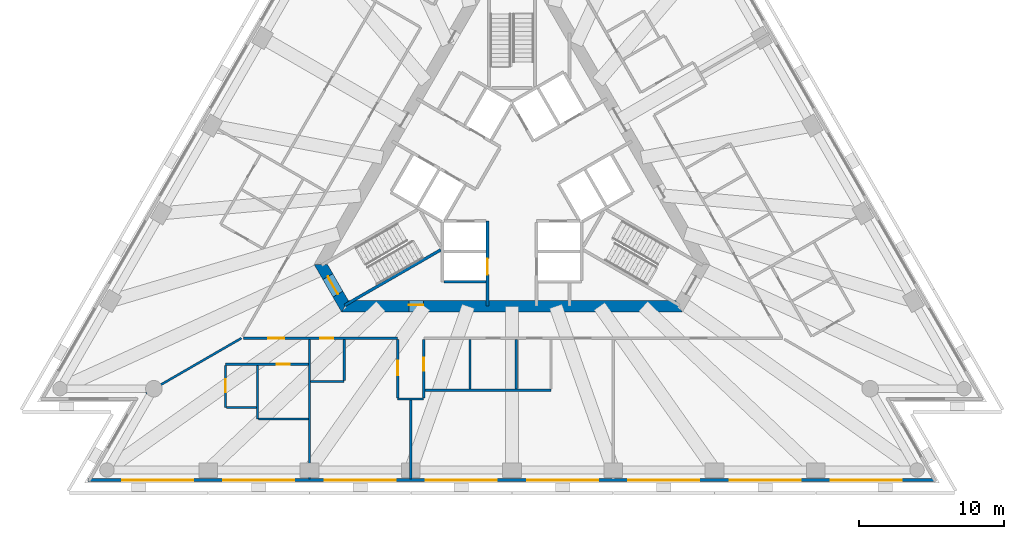
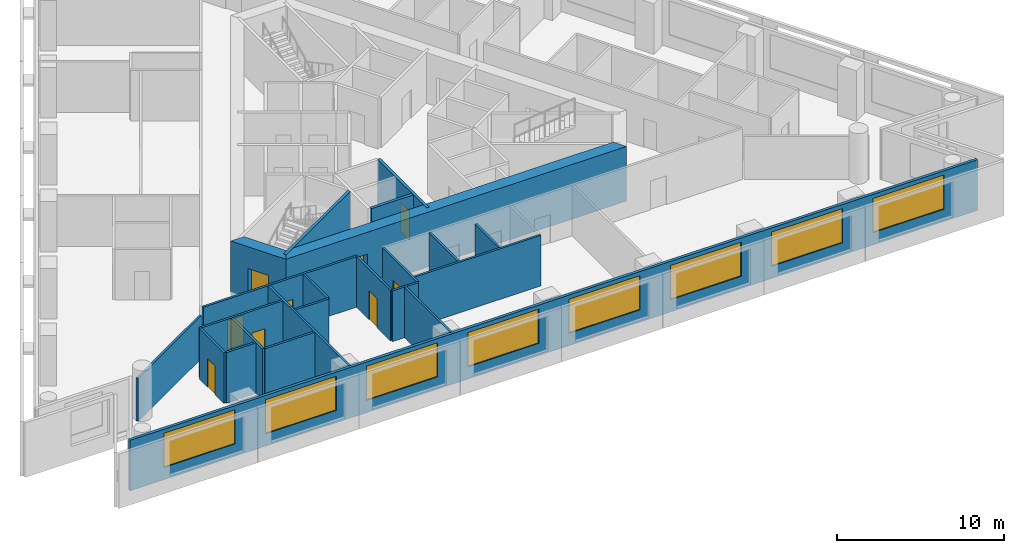
# One storey, part 3 of 10: 23 walls, 9 doors, 8 windows, 17 openings.
"""IFC4 building model written with IfcOpenShell, lengths in metres."""

import ifcopenshell
import ifcopenshell.guid

model = None  # the IFC model being written
_history = None  # IfcOwnerHistory: only IFC2X3 demands one
_inside = {}  # id of a spatial element -> (the spatial element, [elements in it])
_under = {}  # id of a project, library or spatial element -> (it, [spatial elements below it])
_declared = {}  # id of a project -> (the project, [libraries it declares])
_typed = {}  # id of a type object -> (the type object, [elements of that type])
_made_of = {}  # id of a material, layer set ... -> (it, [elements and type objects made of it])


def new_model(schema):
    """Start an empty IFC model of exactly this schema.

    Asked for "IFC4X3", IfcOpenShell would pick the latest addendum, in which some entities
    have other attributes; the version numbers below select the first issue.
    IFC2X3 requires an IfcOwnerHistory on every rooted entity: one is made here for all.
    """
    global model, _history
    if schema == "IFC4X3":
        model = ifcopenshell.file(schema_version=(4, 3, 0, 0))
    else:
        model = ifcopenshell.file(schema=schema)
    _inside.clear()
    _under.clear()
    _declared.clear()
    _typed.clear()
    _made_of.clear()
    _history = None
    if model.schema == "IFC2X3":
        org = make("IfcOrganization", Name="unknown")
        user = make(
            "IfcPersonAndOrganization",
            ThePerson=make("IfcPerson", FamilyName="unknown"),
            TheOrganization=org,
        )
        app = make(
            "IfcApplication",
            ApplicationDeveloper=org,
            Version="unknown",
            ApplicationFullName="unknown",
            ApplicationIdentifier="unknown",
        )
        _history = make(
            "IfcOwnerHistory",
            OwningUser=user,
            OwningApplication=app,
            ChangeAction="ADDED",
            CreationDate=0,
        )
    return model


def make(cls, **values):
    """One entity of the class cls with the attributes given. An attribute that is None is left unset."""
    return model.create_entity(
        cls, **{name: value for name, value in values.items() if value is not None}
    )


def rooted(cls, **values):
    """An entity with a GlobalId (a new one), such as an element, a storey or a relation."""
    return make(cls, GlobalId=ifcopenshell.guid.new(), OwnerHistory=_history, **values)


def si_unit(unit_type, name, prefix=None):
    """IfcSIUnit, for example si_unit("LENGTHUNIT", "METRE", prefix="MILLI")."""
    return make("IfcSIUnit", UnitType=unit_type, Prefix=prefix, Name=name)


def assignment(units):
    """IfcUnitAssignment: the units of a project."""
    return None if units is None else make("IfcUnitAssignment", Units=units)


def point(xyz):
    """IfcCartesianPoint."""
    return None if xyz is None else make("IfcCartesianPoint", Coordinates=xyz)


def direction(xyz):
    """IfcDirection."""
    return None if xyz is None else make("IfcDirection", DirectionRatios=xyz)


def frame(location, z_axis=None, x_axis=None):
    """IfcAxis2Placement3D, a coordinate frame: its origin and axes. An axis left out is left unset."""
    return make(
        "IfcAxis2Placement3D",
        Location=point(location),
        Axis=direction(z_axis),
        RefDirection=direction(x_axis),
    )


def frame_2d(location, x_axis=None):
    """IfcAxis2Placement2D, a coordinate frame in the plane: its origin and x axis."""
    return make(
        "IfcAxis2Placement2D", Location=point(location), RefDirection=direction(x_axis)
    )


def origin():
    """The frame at (0, 0, 0) with its axes left unset."""
    return frame((0.0, 0.0, 0.0))


def place(relative_to, where):
    """IfcLocalPlacement: puts the frame where relative to a parent placement (None: the world)."""
    return make(
        "IfcLocalPlacement", PlacementRelTo=relative_to, RelativePlacement=where
    )


def context(
    kind, dimensions, precision=None, world=None, true_north=None, identifier=None
):
    """IfcGeometricRepresentationContext, for example the 3D "Model" context."""
    return make(
        "IfcGeometricRepresentationContext",
        ContextIdentifier=identifier,
        ContextType=kind,
        CoordinateSpaceDimension=dimensions,
        Precision=precision,
        WorldCoordinateSystem=world,
        TrueNorth=true_north,
    )


def subcontext(parent, identifier, kind, view, scale=None):
    """IfcGeometricRepresentationSubContext, for example "Body" below "Model"."""
    return make(
        "IfcGeometricRepresentationSubContext",
        ContextIdentifier=identifier,
        ContextType=kind,
        ParentContext=parent,
        TargetScale=scale,
        TargetView=view,
    )


def project(units=None, contexts=None):
    """IfcProject with its units and contexts."""
    return rooted(
        "IfcProject",
        Name="project",
        RepresentationContexts=contexts,
        UnitsInContext=assignment(units),
    )


def spatial(cls, under=None, at=None, **own):
    """A site, building, storey or space (cls), placed at a placement, below another one or the project."""
    s = rooted(cls, ObjectPlacement=at, **own)
    if under is not None:
        _under.setdefault(under.id(), (under, []))[1].append(s)
    return s


def polyline(points):
    """IfcPolyline through the points."""
    return make("IfcPolyline", Points=[point(p) for p in points])


def profile(cls, at=None, kind="AREA", **sizes):
    """A parametric profile (cls). Its sizes go by their IFC names, for example OverallWidth=200.0."""
    return make(cls, ProfileType=kind, Position=at, **sizes)


def rectangle(**sizes):
    """IfcRectangleProfileDef."""
    return profile("IfcRectangleProfileDef", **sizes)


def outline(outer, holes=None, kind="AREA"):
    """IfcArbitraryClosedProfileDef: a profile drawn as a closed curve; with holes, ...WithVoids."""
    if holes is None:
        return make("IfcArbitraryClosedProfileDef", ProfileType=kind, OuterCurve=outer)
    return make(
        "IfcArbitraryProfileDefWithVoids",
        ProfileType=kind,
        OuterCurve=outer,
        InnerCurves=holes,
    )


def extrude(swept, where, along, depth):
    """IfcExtrudedAreaSolid: the profile swept, set in the frame where, extruded along a direction by depth."""
    return make(
        "IfcExtrudedAreaSolid",
        SweptArea=swept,
        Position=where,
        ExtrudedDirection=direction(along),
        Depth=depth,
    )


def shape(context_of_items, identifier, shape_type, items):
    """IfcShapeRepresentation: the items that make up one representation, for example the "Body"."""
    return make(
        "IfcShapeRepresentation",
        ContextOfItems=context_of_items,
        RepresentationIdentifier=identifier,
        RepresentationType=shape_type,
        Items=items,
    )


def material(Name=None, Category=None):
    """IfcMaterial."""
    return make("IfcMaterial", Name=Name, Category=Category)


def layer(
    of_material, thickness, ventilated=None, Name=None, Category=None, Priority=None
):
    """IfcMaterialLayer: one layer of a wall or slab, of a material (None: an air gap)."""
    return make(
        "IfcMaterialLayer",
        Material=of_material,
        LayerThickness=thickness,
        IsVentilated=ventilated,
        Name=Name,
        Category=Category,
        Priority=Priority,
    )


def layer_set(layers, Name=None):
    """IfcMaterialLayerSet."""
    return make("IfcMaterialLayerSet", MaterialLayers=layers, LayerSetName=Name)


def layer_usage(for_layer_set, set_direction, sense, offset, extent=None):
    """IfcMaterialLayerSetUsage: how a layer set lies in its element."""
    return make(
        "IfcMaterialLayerSetUsage",
        ForLayerSet=for_layer_set,
        LayerSetDirection=set_direction,
        DirectionSense=sense,
        OffsetFromReferenceLine=offset,
        ReferenceExtent=extent,
    )


def made_of(thing, what):
    """Note that an element or type object is made of a material, layer set ...; save() writes the relation."""
    if what is not None:
        _made_of.setdefault(what.id(), (what, []))[1].append(thing)
    return thing


def type_object(cls, material=None, **own):
    """A type object (cls), such as IfcWallType, which elements share."""
    return made_of(rooted(cls, **own), material)


def element(
    cls,
    number,
    at=None,
    inside=None,
    cuts=None,
    type_object=None,
    material=None,
    context=None,
    identifier="Body",
    shape_type=None,
    held_by="IfcProductDefinitionShape",
    body=None,
    shapes=None,
    **own,
):
    """One element of the class cls, such as IfcWall. Its Tag is "e" and its number.

    at: its placement. inside: the storey or other place that contains it. cuts: it is an
    opening in that element (IfcRelVoidsElement). A single representation is given by context,
    identifier, shape_type and body (its items); several are given by shapes. held_by: the class
    of the entity that holds the representations. save() writes the other relations.
    """
    e = rooted(cls, Tag="e%d" % number, ObjectPlacement=at, **own)
    if body is not None:
        shapes = [shape(context, identifier, shape_type, body)]
    if shapes is not None:
        e.Representation = make(held_by, Representations=shapes)
    if inside is not None:
        _inside.setdefault(inside.id(), (inside, []))[1].append(e)
    if cuts is not None:
        rooted(
            "IfcRelVoidsElement", RelatingBuildingElement=cuts, RelatedOpeningElement=e
        )
    if type_object is not None:
        _typed.setdefault(type_object.id(), (type_object, []))[1].append(e)
    return made_of(e, material)


def fill(opening, filler):
    """IfcRelFillsElement: the door or window that sits in an opening."""
    return rooted(
        "IfcRelFillsElement",
        RelatingOpeningElement=opening,
        RelatedBuildingElement=filler,
    )


def aggregate(whole, parts):
    """IfcRelAggregates: a whole, such as a stair, and the parts it consists of."""
    return rooted("IfcRelAggregates", RelatingObject=whole, RelatedObjects=parts)


def save(model, path):
    """Write the relations noted so far, then the file.

    IfcRelAggregates (storeys below a building ...), IfcRelContainedInSpatialStructure (elements
    in a storey), IfcRelDefinesByType, IfcRelAssociatesMaterial and IfcRelDeclares: one each for
    every whole, place, type object, material and project.
    """
    for whole, parts in _under.values():
        aggregate(whole, parts)
    for where, things in _inside.values():
        rooted(
            "IfcRelContainedInSpatialStructure",
            RelatedElements=things,
            RelatingStructure=where,
        )
    for kind, things in _typed.values():
        rooted("IfcRelDefinesByType", RelatedObjects=things, RelatingType=kind)
    for what, things in _made_of.values():
        rooted("IfcRelAssociatesMaterial", RelatedObjects=things, RelatingMaterial=what)
    for by, libraries in _declared.values():
        rooted("IfcRelDeclares", RelatingContext=by, RelatedDefinitions=libraries)
    model.write(path)


model = new_model("IFC4")

# Units and contexts
model_context = context("Model", 3, precision=1e-05, world=origin(), true_north=direction((0.0, 1.0)))
body_context = subcontext(model_context, "Body", "Model", "MODEL_VIEW")
ifc_project = project(units=[si_unit("LENGTHUNIT", "METRE"), si_unit("AREAUNIT", "SQUARE_METRE"), si_unit("VOLUMEUNIT", "CUBIC_METRE"), si_unit("PLANEANGLEUNIT", "RADIAN"), si_unit("MASSUNIT", "GRAM", prefix="KILO")], contexts=[model_context])

# Site, building, storey
site_placement = place(None, origin())
site = spatial("IfcSite", under=ifc_project, at=site_placement, CompositionType="ELEMENT")
building_placement = place(site_placement, origin())
building = spatial("IfcBuilding", under=site, at=building_placement, Name="Triada Interchange Tower", CompositionType="ELEMENT")
storey_placement = place(building_placement, frame((0.0, 0.0, 104.300048828125)))
storey = spatial("IfcBuildingStorey", under=building, at=storey_placement, Name="L23", CompositionType="ELEMENT", Elevation=104.300048828125)

# Wall
ifc_material_1 = material(Name="Concrete C30/37", Category="concrete")
ifc_layer_1 = layer(ifc_material_1, 0.199951171875)
ifc_layer_set_1 = layer_set([ifc_layer_1], Name="CORE WALL 200 EI 120")
wall_type_1 = type_object("IfcWallType", Name="CORE WALL 200 EI 120", PredefinedType="SOLIDWALL", material=ifc_layer_set_1)
wall_1_placement = place(storey_placement, frame((-4.699951171875, -6.89990234375, 0.0), z_axis=(0.0, 0.0, 1.0), x_axis=(1.0, 0.0, 0.0)))
element("IfcWall", 1, at=wall_1_placement, inside=storey, type_object=wall_type_1, Name="Wall L23 69", PredefinedType="SOLIDWALL", context=body_context, shape_type="SweptSolid", body=[
    extrude(rectangle(XDim=2.89990234375, YDim=0.199951171875, at=frame_2d((1.449951171875, 0.0))), origin(), (0.0, 0.0, 1.0), 3.699951171875),
])

# Wall, opening, door
wall_2_placement = place(storey_placement, frame((-1.699951171875, -8.580078125, 0.0), z_axis=(0.0, 0.0, 1.0), x_axis=(0.0, 1.0, 0.0)))
wall_2 = element("IfcWall", 2, at=wall_2_placement, inside=storey, type_object=wall_type_1, Name="Wall L23 71", PredefinedType="SOLIDWALL", context=body_context, shape_type="SweptSolid", body=[
    extrude(rectangle(XDim=5.877197265625, YDim=0.199951171875, at=frame_2d((2.9384765625, 0.0))), origin(), (0.0, 0.0, 1.0), 3.699951171875),
])
opening_1_placement = place(wall_2_placement, frame((2.179931640625, 0.0, 0.0)))
opening_1 = element("IfcOpeningElement", 3, at=opening_1_placement, cuts=wall_2, Name="Opening LD-LR4", PredefinedType="OPENING", context=body_context, shape_type="SweptSolid", body=[
    extrude(rectangle(XDim=1.10009765625, YDim=2.10009765625, at=frame_2d((0.550048828125, 1.050048828125))), frame((0.0, 0.10986328125, 0.0), z_axis=(0.0, -1.0, 0.0), x_axis=(1.0, 0.0, 0.0)), (0.0, 0.0, 1.0), 0.219970703125),
])
ifc_material_2 = material(Name="Steel S235 door leaf", Category="steel")
door_type_1 = type_object("IfcDoorType", Name="LIFT LANDING DOOR 1100 EI 120", OperationType="SLIDING_TO_LEFT", PredefinedType="DOOR", material=ifc_material_2)
door_1_placement = place(opening_1_placement, origin())
door_1 = element("IfcDoor", 4, at=door_1_placement, inside=storey, type_object=door_type_1, Name="LR4 landing door L23", OperationType="SLIDING_TO_LEFT", OverallHeight=2.10009765625, OverallWidth=1.10009765625, PredefinedType="DOOR", context=body_context, shape_type="SweptSolid", body=[
    extrude(rectangle(XDim=1.10009765625, YDim=2.10009765625, at=frame_2d((0.550048828125, 1.050048828125))), frame((0.0, 0.02490234375, 0.0), z_axis=(0.0, -1.0, 0.0), x_axis=(1.0, 0.0, 0.0)), (0.0, 0.0, 1.0), 0.050048828125),
])
fill(opening_1, door_1)

# Wall
ifc_layer_2 = layer(ifc_material_1, 0.199951171875)
ifc_layer_set_2 = layer_set([ifc_layer_2], Name="CORE WALL 200 REI 240")
wall_type_2 = type_object("IfcWallType", Name="CORE WALL 200 REI 240", PredefinedType="SOLIDWALL", material=ifc_layer_set_2)
wall_3_placement = place(storey_placement, frame((-11.56689453125, -8.52587890625, 0.0), z_axis=(0.0, 0.0, 1.0), x_axis=(0.866005769735, 0.50003400563, 0.0)))
element("IfcWall", 5, at=wall_3_placement, inside=storey, type_object=wall_type_2, Name="Wall L23 105", PredefinedType="SOLIDWALL", context=body_context, shape_type="SweptSolid", body=[
    extrude(rectangle(XDim=7.6650390625, YDim=0.199951171875, at=frame_2d((3.83251953125, 0.0))), origin(), (0.0, 0.0, 1.0), 3.699951171875),
])

# Wall, opening, door
ifc_material_3 = material(Name="Concrete C60/75", Category="concrete")
ifc_layer_3 = layer(ifc_material_3, 0.800048828125)
ifc_layer_set_3 = layer_set([ifc_layer_3], Name="Core wall B 800")
wall_type_3 = type_object("IfcWallType", Name="Core wall B 800", PredefinedType="SHEAR", material=ifc_layer_set_3)
wall_4_placement = place(storey_placement, frame((-13.220947265625, -5.699951171875, -0.300048828125), z_axis=(0.0, 0.0, 1.0), x_axis=(0.49987182685, -0.866099391942, 0.0)))
wall_4 = element("IfcWall", 6, at=wall_4_placement, inside=storey, type_object=wall_type_3, Name="Core wall WB03 L23", PredefinedType="SHEAR", context=body_context, shape_type="SweptSolid", body=[
    extrude(outline(polyline([(-0.23095703125, -0.39990234375), (1.674072265625, -0.39990234375), (3.5791015625, -0.39990234375), (3.117919921875, 0.39990234375), (1.67431640625, 0.39990234375), (0.23095703125, 0.39990234375), (-0.23095703125, -0.39990234375)])), origin(), (0.0, 0.0, 1.0), 4.0),
])
opening_2_placement = place(wall_4_placement, frame((0.97412109375, 0.0, 0.300048828125)))
opening_2 = element("IfcOpeningElement", 7, at=opening_2_placement, cuts=wall_4, Name="Opening D23-44", PredefinedType="OPENING", context=body_context, shape_type="SweptSolid", body=[
    extrude(rectangle(XDim=1.39990234375, YDim=2.10009765625, at=frame_2d((0.699951171875, 1.050048828125))), frame((0.0, 0.409912109375, 0.0), z_axis=(0.0, -1.0, 0.0), x_axis=(1.0, 0.0, 0.0)), (0.0, 0.0, 1.0), 0.820068359375),
])
door_type_2 = type_object("IfcDoorType", Name="STAIR DOOR 1400 EI2 90-C5S200", OperationType="DOUBLE_DOOR_SINGLE_SWING", PredefinedType="DOOR", material=ifc_material_2)
door_2_placement = place(opening_2_placement, origin())
door_2 = element("IfcDoor", 8, at=door_2_placement, inside=storey, type_object=door_type_2, Name="Door D23-44 L23", OperationType="DOUBLE_DOOR_SINGLE_SWING", OverallHeight=2.10009765625, OverallWidth=1.39990234375, PredefinedType="DOOR", context=body_context, shape_type="SweptSolid", body=[
    extrude(rectangle(XDim=1.39990234375, YDim=2.10009765625, at=frame_2d((0.699951171875, 1.050048828125))), frame((0.0, 0.02490234375, 0.0), z_axis=(0.0, -1.0, 0.0), x_axis=(1.0, 0.0, 0.0)), (0.0, 0.0, 1.0), 0.050048828125),
])
fill(opening_2, door_2)

wall_5_placement = place(storey_placement, frame((-11.547119140625, -8.60009765625, -0.300048828125), z_axis=(0.0, 0.0, 1.0), x_axis=(1.0, 0.0, 0.0)))
wall_5 = element("IfcWall", 9, at=wall_5_placement, inside=storey, type_object=wall_type_3, Name="Core wall WB04 L23", PredefinedType="SHEAR", context=body_context, shape_type="SweptSolid", body=[
    extrude(outline(polyline([(-0.23095703125, -0.39990234375), (1.73193359375, -0.39990234375), (3.695068359375, -0.39990234375), (5.657958984375, -0.39990234375), (7.62109375, -0.39990234375), (9.583984375, -0.39990234375), (11.546875, -0.39990234375), (13.510009765625, -0.39990234375), (15.472900390625, -0.39990234375), (17.43603515625, -0.39990234375), (19.39892578125, -0.39990234375), (21.362060546875, -0.39990234375), (23.324951171875, -0.39990234375), (22.863037109375, 0.39990234375), (20.97705078125, 0.39990234375), (19.091064453125, 0.39990234375), (17.205078125, 0.39990234375), (15.319091796875, 0.39990234375), (13.43310546875, 0.39990234375), (11.546875, 0.39990234375), (9.660888671875, 0.39990234375), (7.77490234375, 0.39990234375), (5.888916015625, 0.39990234375), (4.0029296875, 0.39990234375), (2.116943359375, 0.39990234375), (0.23095703125, 0.39990234375), (-0.23095703125, -0.39990234375)])), origin(), (0.0, 0.0, 1.0), 4.0),
])
opening_3_placement = place(wall_5_placement, frame((4.4140625, 0.0, 0.300048828125)))
opening_3 = element("IfcOpeningElement", 10, at=opening_3_placement, cuts=wall_5, Name="Opening D23-47", PredefinedType="OPENING", context=body_context, shape_type="SweptSolid", body=[
    extrude(rectangle(XDim=1.0, YDim=2.10009765625, at=frame_2d((0.5, 1.050048828125))), frame((0.0, 0.409912109375, 0.0), z_axis=(0.0, -1.0, 0.0), x_axis=(1.0, 0.0, 0.0)), (0.0, 0.0, 1.0), 0.820068359375),
])
door_type_3 = type_object("IfcDoorType", Name="SERVICE DOOR 1000 EI2 45-C5S200", OperationType="NOTDEFINED", PredefinedType="DOOR", material=ifc_material_2)
door_3_placement = place(opening_3_placement, origin())
door_3 = element("IfcDoor", 11, at=door_3_placement, inside=storey, type_object=door_type_3, Name="Door D23-47 L23", OperationType="SINGLE_SWING_LEFT", OverallHeight=2.10009765625, OverallWidth=1.0, PredefinedType="DOOR", context=body_context, shape_type="SweptSolid", body=[
    extrude(rectangle(XDim=1.0, YDim=2.10009765625, at=frame_2d((0.5, 1.050048828125))), frame((0.0, 0.125, 0.0), z_axis=(0.0, -1.0, 0.0), x_axis=(1.0, 0.0, 0.0)), (0.0, 0.0, 1.0), 0.050048828125),
])
fill(opening_3, door_3)

# Wall, openings, windows
ifc_material_4 = material(Name="Cement board")
ifc_layer_4 = layer(ifc_material_4, 0.02001953125, Name="Cement board cladding")
ifc_material_5 = material(Name="Sheathing board")
ifc_layer_5 = layer(ifc_material_5, 0.014892578125, Name="Sheathing board")
ifc_material_6 = material(Name="Mineral wool")
ifc_layer_6 = layer(ifc_material_6, 0.14990234375, Name="Mineral wool between steel studs")
ifc_material_7 = material(Name="Gypsum board")
ifc_layer_7 = layer(ifc_material_7, 0.014892578125, Name="Plasterboard lining")
ifc_layer_set_4 = layer_set([ifc_layer_4, ifc_layer_5, ifc_layer_6, ifc_layer_7], Name="External wall 200")
ifc_layer_usage = layer_usage(ifc_layer_set_4, "AXIS2", "POSITIVE", -0.10009765625)
wall_type_4 = type_object("IfcWallType", Name="External wall 200", PredefinedType="ELEMENTEDWALL", material=ifc_layer_set_4)
wall_6_placement = place(storey_placement, frame((-29.31005859375, -20.616943359375, 0.0), z_axis=(0.0, 0.0, 1.0), x_axis=(1.0, 0.0, 0.0)))
wall_6 = element("IfcWall", 12, at=wall_6_placement, inside=storey, type_object=wall_type_4, material=ifc_layer_usage, Name="External wall L23 S", PredefinedType="ELEMENTEDWALL", context=body_context, shape_type="SweptSolid", body=[
    extrude(rectangle(XDim=58.60009765625, YDim=0.199951171875, at=frame_2d((29.300048828125, 0.0))), origin(), (0.0, 0.0, 1.0), 3.699951171875),
])
opening_4_placement = place(wall_6_placement, frame((2.35400390625, 0.0, 0.89990234375)))
opening_4 = element("IfcOpeningElement", 13, at=opening_4_placement, cuts=wall_6, Name="Opening WB11", PredefinedType="OPENING", context=body_context, shape_type="SweptSolid", body=[
    extrude(rectangle(XDim=4.89990234375, YDim=2.5, at=frame_2d((2.449951171875, 1.25))), frame((0.0, 0.10986328125, 0.0), z_axis=(0.0, -1.0, 0.0), x_axis=(1.0, 0.0, 0.0)), (0.0, 0.0, 1.0), 0.219970703125),
])
opening_5_placement = place(wall_6_placement, frame((9.35595703125, 0.0, 0.89990234375)))
opening_5 = element("IfcOpeningElement", 14, at=opening_5_placement, cuts=wall_6, Name="Opening WB12", PredefinedType="OPENING", context=body_context, shape_type="SweptSolid", body=[
    extrude(rectangle(XDim=4.89990234375, YDim=2.5, at=frame_2d((2.449951171875, 1.25))), frame((0.0, 0.10986328125, 0.0), z_axis=(0.0, -1.0, 0.0), x_axis=(1.0, 0.0, 0.0)), (0.0, 0.0, 1.0), 0.219970703125),
])
opening_6_placement = place(wall_6_placement, frame((16.35693359375, 0.0, 0.89990234375)))
opening_6 = element("IfcOpeningElement", 15, at=opening_6_placement, cuts=wall_6, Name="Opening WB13", PredefinedType="OPENING", context=body_context, shape_type="SweptSolid", body=[
    extrude(rectangle(XDim=4.89990234375, YDim=2.5, at=frame_2d((2.449951171875, 1.25))), frame((0.0, 0.10986328125, 0.0), z_axis=(0.0, -1.0, 0.0), x_axis=(1.0, 0.0, 0.0)), (0.0, 0.0, 1.0), 0.219970703125),
])
opening_7_placement = place(wall_6_placement, frame((23.35888671875, 0.0, 0.89990234375)))
opening_7 = element("IfcOpeningElement", 16, at=opening_7_placement, cuts=wall_6, Name="Opening WB14", PredefinedType="OPENING", context=body_context, shape_type="SweptSolid", body=[
    extrude(rectangle(XDim=4.89990234375, YDim=2.5, at=frame_2d((2.449951171875, 1.25))), frame((0.0, 0.10986328125, 0.0), z_axis=(0.0, -1.0, 0.0), x_axis=(1.0, 0.0, 0.0)), (0.0, 0.0, 1.0), 0.219970703125),
])
opening_8_placement = place(wall_6_placement, frame((30.361083984375, 0.0, 0.89990234375)))
opening_8 = element("IfcOpeningElement", 17, at=opening_8_placement, cuts=wall_6, Name="Opening WB15", PredefinedType="OPENING", context=body_context, shape_type="SweptSolid", body=[
    extrude(rectangle(XDim=4.89990234375, YDim=2.5, at=frame_2d((2.449951171875, 1.25))), frame((0.0, 0.10986328125, 0.0), z_axis=(0.0, -1.0, 0.0), x_axis=(1.0, 0.0, 0.0)), (0.0, 0.0, 1.0), 0.219970703125),
])
opening_9_placement = place(wall_6_placement, frame((37.363037109375, 0.0, 0.89990234375)))
opening_9 = element("IfcOpeningElement", 18, at=opening_9_placement, cuts=wall_6, Name="Opening WB16", PredefinedType="OPENING", context=body_context, shape_type="SweptSolid", body=[
    extrude(rectangle(XDim=4.89990234375, YDim=2.5, at=frame_2d((2.449951171875, 1.25))), frame((0.0, 0.10986328125, 0.0), z_axis=(0.0, -1.0, 0.0), x_axis=(1.0, 0.0, 0.0)), (0.0, 0.0, 1.0), 0.219970703125),
])
opening_10_placement = place(wall_6_placement, frame((44.364013671875, 0.0, 0.89990234375)))
opening_10 = element("IfcOpeningElement", 19, at=opening_10_placement, cuts=wall_6, Name="Opening WB17", PredefinedType="OPENING", context=body_context, shape_type="SweptSolid", body=[
    extrude(rectangle(XDim=4.89990234375, YDim=2.5, at=frame_2d((2.449951171875, 1.25))), frame((0.0, 0.10986328125, 0.0), z_axis=(0.0, -1.0, 0.0), x_axis=(1.0, 0.0, 0.0)), (0.0, 0.0, 1.0), 0.219970703125),
])
opening_11_placement = place(wall_6_placement, frame((51.365966796875, 0.0, 0.89990234375)))
opening_11 = element("IfcOpeningElement", 20, at=opening_11_placement, cuts=wall_6, Name="Opening WB18", PredefinedType="OPENING", context=body_context, shape_type="SweptSolid", body=[
    extrude(rectangle(XDim=4.89990234375, YDim=2.5, at=frame_2d((2.449951171875, 1.25))), frame((0.0, 0.10986328125, 0.0), z_axis=(0.0, -1.0, 0.0), x_axis=(1.0, 0.0, 0.0)), (0.0, 0.0, 1.0), 0.219970703125),
])
ifc_material_8 = material(Name="Double glazed aluminium window", Category="aluminium")
window_type = type_object("IfcWindowType", Name="Ribbon window B face", PartitioningType="SINGLE_PANEL", PredefinedType="WINDOW", material=ifc_material_8)
window_1_placement = place(opening_4_placement, origin())
window_1 = element("IfcWindow", 21, at=window_1_placement, inside=storey, type_object=window_type, Name="Window L23 S 1", OverallHeight=2.5, OverallWidth=4.89990234375, PartitioningType="SINGLE_PANEL", PredefinedType="WINDOW", context=body_context, shape_type="SweptSolid", body=[
    extrude(rectangle(XDim=4.89990234375, YDim=2.5, at=frame_2d((2.449951171875, 1.25))), frame((0.0, 0.030029296875, 0.0), z_axis=(0.0, -1.0, 0.0), x_axis=(1.0, 0.0, 0.0)), (0.0, 0.0, 1.0), 0.06005859375),
])
fill(opening_4, window_1)
window_2_placement = place(opening_5_placement, origin())
window_2 = element("IfcWindow", 22, at=window_2_placement, inside=storey, type_object=window_type, Name="Window L23 S 2", OverallHeight=2.5, OverallWidth=4.89990234375, PartitioningType="SINGLE_PANEL", PredefinedType="WINDOW", context=body_context, shape_type="SweptSolid", body=[
    extrude(rectangle(XDim=4.89990234375, YDim=2.5, at=frame_2d((2.449951171875, 1.25))), frame((0.0, 0.030029296875, 0.0), z_axis=(0.0, -1.0, 0.0), x_axis=(1.0, 0.0, 0.0)), (0.0, 0.0, 1.0), 0.06005859375),
])
fill(opening_5, window_2)
window_3_placement = place(opening_6_placement, origin())
window_3 = element("IfcWindow", 23, at=window_3_placement, inside=storey, type_object=window_type, Name="Window L23 S 3", OverallHeight=2.5, OverallWidth=4.89990234375, PartitioningType="SINGLE_PANEL", PredefinedType="WINDOW", context=body_context, shape_type="SweptSolid", body=[
    extrude(rectangle(XDim=4.89990234375, YDim=2.5, at=frame_2d((2.449951171875, 1.25))), frame((0.0, 0.030029296875, 0.0), z_axis=(0.0, -1.0, 0.0), x_axis=(1.0, 0.0, 0.0)), (0.0, 0.0, 1.0), 0.06005859375),
])
fill(opening_6, window_3)
window_4_placement = place(opening_7_placement, origin())
window_4 = element("IfcWindow", 24, at=window_4_placement, inside=storey, type_object=window_type, Name="Window L23 S 4", OverallHeight=2.5, OverallWidth=4.89990234375, PartitioningType="SINGLE_PANEL", PredefinedType="WINDOW", context=body_context, shape_type="SweptSolid", body=[
    extrude(rectangle(XDim=4.89990234375, YDim=2.5, at=frame_2d((2.449951171875, 1.25))), frame((0.0, 0.030029296875, 0.0), z_axis=(0.0, -1.0, 0.0), x_axis=(1.0, 0.0, 0.0)), (0.0, 0.0, 1.0), 0.06005859375),
])
fill(opening_7, window_4)
window_5_placement = place(opening_8_placement, origin())
window_5 = element("IfcWindow", 25, at=window_5_placement, inside=storey, type_object=window_type, Name="Window L23 S 5", OverallHeight=2.5, OverallWidth=4.89990234375, PartitioningType="SINGLE_PANEL", PredefinedType="WINDOW", context=body_context, shape_type="SweptSolid", body=[
    extrude(rectangle(XDim=4.89990234375, YDim=2.5, at=frame_2d((2.449951171875, 1.25))), frame((0.0, 0.030029296875, 0.0), z_axis=(0.0, -1.0, 0.0), x_axis=(1.0, 0.0, 0.0)), (0.0, 0.0, 1.0), 0.06005859375),
])
fill(opening_8, window_5)
window_6_placement = place(opening_9_placement, origin())
window_6 = element("IfcWindow", 26, at=window_6_placement, inside=storey, type_object=window_type, Name="Window L23 S 6", OverallHeight=2.5, OverallWidth=4.89990234375, PartitioningType="SINGLE_PANEL", PredefinedType="WINDOW", context=body_context, shape_type="SweptSolid", body=[
    extrude(rectangle(XDim=4.89990234375, YDim=2.5, at=frame_2d((2.449951171875, 1.25))), frame((0.0, 0.030029296875, 0.0), z_axis=(0.0, -1.0, 0.0), x_axis=(1.0, 0.0, 0.0)), (0.0, 0.0, 1.0), 0.06005859375),
])
fill(opening_9, window_6)
window_7_placement = place(opening_10_placement, origin())
window_7 = element("IfcWindow", 27, at=window_7_placement, inside=storey, type_object=window_type, Name="Window L23 S 7", OverallHeight=2.5, OverallWidth=4.89990234375, PartitioningType="SINGLE_PANEL", PredefinedType="WINDOW", context=body_context, shape_type="SweptSolid", body=[
    extrude(rectangle(XDim=4.89990234375, YDim=2.5, at=frame_2d((2.449951171875, 1.25))), frame((0.0, 0.030029296875, 0.0), z_axis=(0.0, -1.0, 0.0), x_axis=(1.0, 0.0, 0.0)), (0.0, 0.0, 1.0), 0.06005859375),
])
fill(opening_10, window_7)
window_8_placement = place(opening_11_placement, origin())
window_8 = element("IfcWindow", 28, at=window_8_placement, inside=storey, type_object=window_type, Name="Window L23 S 8", OverallHeight=2.5, OverallWidth=4.89990234375, PartitioningType="SINGLE_PANEL", PredefinedType="WINDOW", context=body_context, shape_type="SweptSolid", body=[
    extrude(rectangle(XDim=4.89990234375, YDim=2.5, at=frame_2d((2.449951171875, 1.25))), frame((0.0, 0.030029296875, 0.0), z_axis=(0.0, -1.0, 0.0), x_axis=(1.0, 0.0, 0.0)), (0.0, 0.0, 1.0), 0.06005859375),
])
fill(opening_11, window_8)

# Wall
ifc_material_9 = material(Name="Gypsum board partition")
ifc_layer_8 = layer(ifc_material_9, 0.14990234375)
ifc_layer_set_5 = layer_set([ifc_layer_8], Name="PARTITION 150 EI 180")
wall_type_5 = type_object("IfcWallType", Name="PARTITION 150 EI 180", PredefinedType="PARTITIONING", material=ifc_layer_set_5)
wall_7_placement = place(storey_placement, frame((-25.299072265625, -14.60595703125, 0.0), z_axis=(0.0, 0.0, 1.0), x_axis=(0.866002408008, 0.500039827738, 0.0)))
element("IfcWall", 29, at=wall_7_placement, inside=storey, type_object=wall_type_5, Name="Wall L23 1", PredefinedType="PARTITIONING", context=body_context, shape_type="SweptSolid", body=[
    extrude(rectangle(XDim=7.61328125, YDim=0.14990234375, at=frame_2d((3.806640625, 0.0))), origin(), (0.0, 0.0, 1.0), 3.14990234375),
])

# Wall, openings, doors
wall_8_placement = place(storey_placement, frame((-18.555908203125, -10.800048828125, 0.0), z_axis=(0.0, 0.0, 1.0), x_axis=(1.0, 0.0, 0.0)))
wall_8 = element("IfcWall", 30, at=wall_8_placement, inside=storey, type_object=wall_type_5, Name="Wall L23 4", PredefinedType="PARTITIONING", context=body_context, shape_type="SweptSolid", body=[
    extrude(rectangle(XDim=10.65283203125, YDim=0.14990234375, at=frame_2d((5.326416015625, 0.0))), origin(), (0.0, 0.0, 1.0), 3.699951171875),
])
opening_12_placement = place(wall_8_placement, frame((1.699951171875, 0.0, 0.0)))
opening_12 = element("IfcOpeningElement", 31, at=opening_12_placement, cuts=wall_8, Name="Opening D23-11", PredefinedType="OPENING", context=body_context, shape_type="SweptSolid", body=[
    extrude(rectangle(XDim=1.10009765625, YDim=2.10009765625, at=frame_2d((0.550048828125, 1.050048828125))), frame((0.0, 0.0849609375, 0.0), z_axis=(0.0, -1.0, 0.0), x_axis=(1.0, 0.0, 0.0)), (0.0, 0.0, 1.0), 0.169921875),
])
opening_13_placement = place(wall_8_placement, frame((5.302001953125, 0.0, 0.0)))
opening_13 = element("IfcOpeningElement", 32, at=opening_13_placement, cuts=wall_8, Name="Opening D23-15", PredefinedType="OPENING", context=body_context, shape_type="SweptSolid", body=[
    extrude(rectangle(XDim=0.89990234375, YDim=2.10009765625, at=frame_2d((0.449951171875, 1.050048828125))), frame((0.0, 0.0849609375, 0.0), z_axis=(0.0, -1.0, 0.0), x_axis=(1.0, 0.0, 0.0)), (0.0, 0.0, 1.0), 0.169921875),
])
door_type_4 = type_object("IfcDoorType", Name="SERVICE DOOR 900 EI2 90-C5S200", OperationType="NOTDEFINED", PredefinedType="DOOR", material=ifc_material_2)
door_4_placement = place(opening_13_placement, origin())
door_4 = element("IfcDoor", 33, at=door_4_placement, inside=storey, type_object=door_type_4, Name="Door D23-15 L23", OperationType="SINGLE_SWING_RIGHT", OverallHeight=2.10009765625, OverallWidth=0.89990234375, PredefinedType="DOOR", context=body_context, shape_type="SweptSolid", body=[
    extrude(rectangle(XDim=0.89990234375, YDim=2.10009765625, at=frame_2d((0.449951171875, 1.050048828125))), frame((0.0, 0.02490234375, 0.0), z_axis=(0.0, -1.0, 0.0), x_axis=(1.0, 0.0, 0.0)), (0.0, 0.0, 1.0), 0.050048828125),
])
fill(opening_13, door_4)
door_type_5 = type_object("IfcDoorType", Name="TENANCY ENTRANCE DOOR 1100 EI2 90-C5S200", OperationType="NOTDEFINED", PredefinedType="DOOR", material=ifc_material_2)
door_5_placement = place(opening_12_placement, origin())
door_5 = element("IfcDoor", 34, at=door_5_placement, inside=storey, type_object=door_type_5, Name="Door D23-11 L23", OperationType="SINGLE_SWING_RIGHT", OverallHeight=2.10009765625, OverallWidth=1.10009765625, PredefinedType="DOOR", context=body_context, shape_type="SweptSolid", body=[
    extrude(rectangle(XDim=1.10009765625, YDim=2.10009765625, at=frame_2d((0.550048828125, 1.050048828125))), frame((0.0, 0.02490234375, 0.0), z_axis=(0.0, -1.0, 0.0), x_axis=(1.0, 0.0, 0.0)), (0.0, 0.0, 1.0), 0.050048828125),
])
fill(opening_12, door_5)

# Walls
wall_9_placement = place(storey_placement, frame((-14.00390625, -20.537109375, 0.0), z_axis=(0.0, 0.0, 1.0), x_axis=(0.0, 1.0, 0.0)))
element("IfcWall", 35, at=wall_9_placement, inside=storey, type_object=wall_type_5, Name="Wall L23 9", PredefinedType="PARTITIONING", context=body_context, shape_type="SweptSolid", body=[
    extrude(rectangle(XDim=9.662109375, YDim=0.14990234375, at=frame_2d((4.8310546875, 0.0))), origin(), (0.0, 0.0, 1.0), 3.699951171875),
])
wall_10_placement = place(storey_placement, frame((-13.928955078125, -13.800048828125, 0.0), z_axis=(0.0, 0.0, 1.0), x_axis=(1.0, 0.0, 0.0)))
element("IfcWall", 36, at=wall_10_placement, inside=storey, type_object=wall_type_5, Name="Wall L23 10", PredefinedType="PARTITIONING", context=body_context, shape_type="SweptSolid", body=[
    extrude(rectangle(XDim=2.324951171875, YDim=0.14990234375, at=frame_2d((1.16259765625, 0.0))), origin(), (0.0, 0.0, 1.0), 3.699951171875),
])
wall_11_placement = place(storey_placement, frame((-11.60400390625, -13.72509765625, 0.0), z_axis=(0.0, 0.0, 1.0), x_axis=(0.0, 1.0, 0.0)))
element("IfcWall", 37, at=wall_11_placement, inside=storey, type_object=wall_type_5, Name="Wall L23 11", PredefinedType="PARTITIONING", context=body_context, shape_type="SweptSolid", body=[
    extrude(rectangle(XDim=2.85009765625, YDim=0.14990234375, at=frame_2d((1.425048828125, 0.0))), origin(), (0.0, 0.0, 1.0), 3.699951171875),
])
wall_12_placement = place(storey_placement, frame((-7.902099609375, -15.0, 0.0), z_axis=(0.0, 0.0, 1.0), x_axis=(1.0, 0.0, 0.0)))
element("IfcWall", 38, at=wall_12_placement, inside=storey, type_object=wall_type_5, Name="Wall L23 14", PredefinedType="PARTITIONING", context=body_context, shape_type="SweptSolid", body=[
    extrude(rectangle(XDim=1.800048828125, YDim=0.14990234375, at=frame_2d((0.89990234375, 0.0))), origin(), (0.0, 0.0, 1.0), 3.699951171875),
])

# Wall, opening, door
wall_13_placement = place(storey_placement, frame((-7.902099609375, -14.925048828125, 0.0), z_axis=(0.0, 0.0, 1.0), x_axis=(0.0, 1.0, 0.0)))
wall_13 = element("IfcWall", 39, at=wall_13_placement, inside=storey, type_object=wall_type_5, Name="Wall L23 15", PredefinedType="PARTITIONING", context=body_context, shape_type="SweptSolid", body=[
    extrude(rectangle(XDim=4.049072265625, YDim=0.14990234375, at=frame_2d((2.0244140625, 0.0))), origin(), (0.0, 0.0, 1.0), 3.699951171875),
])
opening_14_placement = place(wall_13_placement, frame((1.574951171875, 0.0, 0.0)))
opening_14 = element("IfcOpeningElement", 40, at=opening_14_placement, cuts=wall_13, Name="Opening D23-14", PredefinedType="OPENING", context=body_context, shape_type="SweptSolid", body=[
    extrude(rectangle(XDim=1.0, YDim=2.10009765625, at=frame_2d((0.5, 1.050048828125))), frame((0.0, 0.0849609375, 0.0), z_axis=(0.0, -1.0, 0.0), x_axis=(1.0, 0.0, 0.0)), (0.0, 0.0, 1.0), 0.169921875),
])
door_type_6 = type_object("IfcDoorType", Name="ROOM DOOR 1000 EI2 90-C5S200", OperationType="NOTDEFINED", PredefinedType="DOOR", material=ifc_material_2)
door_6_placement = place(opening_14_placement, origin())
door_6 = element("IfcDoor", 41, at=door_6_placement, inside=storey, type_object=door_type_6, Name="Door D23-14 L23", OperationType="SINGLE_SWING_LEFT", OverallHeight=2.10009765625, OverallWidth=1.0, PredefinedType="DOOR", context=body_context, shape_type="SweptSolid", body=[
    extrude(rectangle(XDim=1.0, YDim=2.10009765625, at=frame_2d((0.5, 1.050048828125))), frame((0.0, 0.02490234375, 0.0), z_axis=(0.0, -1.0, 0.0), x_axis=(1.0, 0.0, 0.0)), (0.0, 0.0, 1.0), 0.050048828125),
])
fill(opening_14, door_6)

# Wall
wall_14_placement = place(storey_placement, frame((-7.001953125, -20.537109375, 0.0), z_axis=(0.0, 0.0, 1.0), x_axis=(0.0, 1.0, 0.0)))
element("IfcWall", 42, at=wall_14_placement, inside=storey, type_object=wall_type_5, Name="Wall L23 18", PredefinedType="PARTITIONING", context=body_context, shape_type="SweptSolid", body=[
    extrude(rectangle(XDim=5.462158203125, YDim=0.14990234375, at=frame_2d((2.73095703125, 0.0))), origin(), (0.0, 0.0, 1.0), 3.699951171875),
])

# Wall, opening, door
wall_15_placement = place(storey_placement, frame((-6.10205078125, -14.925048828125, 0.0), z_axis=(0.0, 0.0, 1.0), x_axis=(0.0, 1.0, 0.0)))
wall_15 = element("IfcWall", 43, at=wall_15_placement, inside=storey, type_object=wall_type_5, Name="Wall L23 19", PredefinedType="PARTITIONING", context=body_context, shape_type="SweptSolid", body=[
    extrude(rectangle(XDim=4.049072265625, YDim=0.14990234375, at=frame_2d((2.0244140625, 0.0))), origin(), (0.0, 0.0, 1.0), 3.699951171875),
])
opening_15_placement = place(wall_15_placement, frame((1.875, 0.0, 0.0)))
opening_15 = element("IfcOpeningElement", 44, at=opening_15_placement, cuts=wall_15, Name="Opening D23-17", PredefinedType="OPENING", context=body_context, shape_type="SweptSolid", body=[
    extrude(rectangle(XDim=0.89990234375, YDim=2.10009765625, at=frame_2d((0.449951171875, 1.050048828125))), frame((0.0, 0.0849609375, 0.0), z_axis=(0.0, -1.0, 0.0), x_axis=(1.0, 0.0, 0.0)), (0.0, 0.0, 1.0), 0.169921875),
])
door_type_7 = type_object("IfcDoorType", Name="ROOM DOOR 900 EI2 90-C5S200", OperationType="NOTDEFINED", PredefinedType="DOOR", material=ifc_material_2)
door_7_placement = place(opening_15_placement, origin())
door_7 = element("IfcDoor", 45, at=door_7_placement, inside=storey, type_object=door_type_7, Name="Door D23-17 L23", OperationType="SINGLE_SWING_RIGHT", OverallHeight=2.10009765625, OverallWidth=0.89990234375, PredefinedType="DOOR", context=body_context, shape_type="SweptSolid", body=[
    extrude(rectangle(XDim=0.89990234375, YDim=2.10009765625, at=frame_2d((0.449951171875, 1.050048828125))), frame((0.0, 0.02490234375, 0.0), z_axis=(0.0, -1.0, 0.0), x_axis=(1.0, 0.0, 0.0)), (0.0, 0.0, 1.0), 0.050048828125),
])
fill(opening_15, door_7)

# Walls
wall_16_placement = place(storey_placement, frame((-6.027099609375, -14.39990234375, 0.0), z_axis=(0.0, 0.0, 1.0), x_axis=(1.0, 0.0, 0.0)))
element("IfcWall", 46, at=wall_16_placement, inside=storey, type_object=wall_type_5, Name="Wall L23 20", PredefinedType="PARTITIONING", context=body_context, shape_type="SweptSolid", body=[
    extrude(rectangle(XDim=8.72509765625, YDim=0.14990234375, at=frame_2d((4.362548828125, 0.0))), origin(), (0.0, 0.0, 1.0), 3.699951171875),
])
wall_17_placement = place(storey_placement, frame((-2.902099609375, -14.324951171875, 0.0), z_axis=(0.0, 0.0, 1.0), x_axis=(0.0, 1.0, 0.0)))
element("IfcWall", 47, at=wall_17_placement, inside=storey, type_object=wall_type_5, Name="Wall L23 21", PredefinedType="PARTITIONING", context=body_context, shape_type="SweptSolid", body=[
    extrude(rectangle(XDim=3.449951171875, YDim=0.14990234375, at=frame_2d((1.72509765625, 0.0))), origin(), (0.0, 0.0, 1.0), 3.699951171875),
])
wall_18_placement = place(storey_placement, frame((0.298095703125, -14.324951171875, 0.0), z_axis=(0.0, 0.0, 1.0), x_axis=(0.0, 1.0, 0.0)))
element("IfcWall", 48, at=wall_18_placement, inside=storey, type_object=wall_type_5, Name="Wall L23 26", PredefinedType="PARTITIONING", context=body_context, shape_type="SweptSolid", body=[
    extrude(rectangle(XDim=3.449951171875, YDim=0.14990234375, at=frame_2d((1.72509765625, 0.0))), origin(), (0.0, 0.0, 1.0), 3.199951171875),
])
ifc_layer_9 = layer(ifc_material_9, 0.14990234375)
ifc_layer_set_6 = layer_set([ifc_layer_9], Name="PARTITION 150 EI 90")
wall_type_6 = type_object("IfcWallType", Name="PARTITION 150 EI 90", PredefinedType="PARTITIONING", material=ifc_layer_set_6)
wall_19_placement = place(storey_placement, frame((-17.60400390625, -16.39990234375, 0.0), z_axis=(0.0, 0.0, 1.0), x_axis=(0.0, 1.0, 0.0)))
element("IfcWall", 49, at=wall_19_placement, inside=storey, type_object=wall_type_6, Name="Wall L23 47", PredefinedType="PARTITIONING", context=body_context, shape_type="SweptSolid", body=[
    extrude(rectangle(XDim=3.724853515625, YDim=0.14990234375, at=frame_2d((1.8623046875, 0.0))), origin(), (0.0, 0.0, 1.0), 3.699951171875),
])

# Wall, opening, door
wall_20_placement = place(storey_placement, frame((-19.803955078125, -12.60009765625, 0.0), z_axis=(0.0, 0.0, 1.0), x_axis=(1.0, 0.0, 0.0)))
wall_20 = element("IfcWall", 50, at=wall_20_placement, inside=storey, type_object=wall_type_6, Name="Wall L23 48", PredefinedType="PARTITIONING", context=body_context, shape_type="SweptSolid", body=[
    extrude(rectangle(XDim=5.724853515625, YDim=0.14990234375, at=frame_2d((2.8623046875, 0.0))), origin(), (0.0, 0.0, 1.0), 3.699951171875),
])
opening_16_placement = place(wall_20_placement, frame((3.550048828125, 0.0, 0.0)))
opening_16 = element("IfcOpeningElement", 51, at=opening_16_placement, cuts=wall_20, Name="Opening D23-12", PredefinedType="OPENING", context=body_context, shape_type="SweptSolid", body=[
    extrude(rectangle(XDim=0.89990234375, YDim=2.10009765625, at=frame_2d((0.449951171875, 1.050048828125))), frame((0.0, 0.0849609375, 0.0), z_axis=(0.0, -1.0, 0.0), x_axis=(1.0, 0.0, 0.0)), (0.0, 0.0, 1.0), 0.169921875),
])
door_type_8 = type_object("IfcDoorType", Name="ROOM DOOR 900 EI2 45-C5S200", OperationType="NOTDEFINED", PredefinedType="DOOR", material=ifc_material_2)
door_8_placement = place(opening_16_placement, origin())
door_8 = element("IfcDoor", 52, at=door_8_placement, inside=storey, type_object=door_type_8, Name="Door D23-12 L23", OperationType="SINGLE_SWING_LEFT", OverallHeight=2.10009765625, OverallWidth=0.89990234375, PredefinedType="DOOR", context=body_context, shape_type="SweptSolid", body=[
    extrude(rectangle(XDim=0.89990234375, YDim=2.10009765625, at=frame_2d((0.449951171875, 1.050048828125))), frame((0.0, 0.02490234375, 0.0), z_axis=(0.0, -1.0, 0.0), x_axis=(1.0, 0.0, 0.0)), (0.0, 0.0, 1.0), 0.050048828125),
])
fill(opening_16, door_8)

wall_21_placement = place(storey_placement, frame((-19.803955078125, -15.60009765625, 0.0), z_axis=(0.0, 0.0, 1.0), x_axis=(0.0, 1.0, 0.0)))
wall_21 = element("IfcWall", 53, at=wall_21_placement, inside=storey, type_object=wall_type_6, Name="Wall L23 49", PredefinedType="PARTITIONING", context=body_context, shape_type="SweptSolid", body=[
    extrude(rectangle(XDim=2.925048828125, YDim=0.14990234375, at=frame_2d((1.46240234375, 0.0))), origin(), (0.0, 0.0, 1.0), 3.699951171875),
])
opening_17_placement = place(wall_21_placement, frame((1.050048828125, 0.0, 0.0)))
opening_17 = element("IfcOpeningElement", 54, at=opening_17_placement, cuts=wall_21, Name="Opening D23-13", PredefinedType="OPENING", context=body_context, shape_type="SweptSolid", body=[
    extrude(rectangle(XDim=0.89990234375, YDim=2.10009765625, at=frame_2d((0.449951171875, 1.050048828125))), frame((0.0, 0.0849609375, 0.0), z_axis=(0.0, -1.0, 0.0), x_axis=(1.0, 0.0, 0.0)), (0.0, 0.0, 1.0), 0.169921875),
])
door_type_9 = type_object("IfcDoorType", Name="SERVICE DOOR 900 EI2 45-C5S200", OperationType="NOTDEFINED", PredefinedType="DOOR", material=ifc_material_2)
door_9_placement = place(opening_17_placement, origin())
door_9 = element("IfcDoor", 55, at=door_9_placement, inside=storey, type_object=door_type_9, Name="Door D23-13 L23", OperationType="SINGLE_SWING_LEFT", OverallHeight=2.10009765625, OverallWidth=0.89990234375, PredefinedType="DOOR", context=body_context, shape_type="SweptSolid", body=[
    extrude(rectangle(XDim=0.89990234375, YDim=2.10009765625, at=frame_2d((0.449951171875, 1.050048828125))), frame((0.0, 0.02490234375, 0.0), z_axis=(0.0, -1.0, 0.0), x_axis=(1.0, 0.0, 0.0)), (0.0, 0.0, 1.0), 0.050048828125),
])
fill(opening_17, door_9)

# Walls
wall_22_placement = place(storey_placement, frame((-19.72900390625, -15.60009765625, 0.0), z_axis=(0.0, 0.0, 1.0), x_axis=(1.0, 0.0, 0.0)))
element("IfcWall", 56, at=wall_22_placement, inside=storey, type_object=wall_type_6, Name="Wall L23 50", PredefinedType="PARTITIONING", context=body_context, shape_type="SweptSolid", body=[
    extrude(rectangle(XDim=2.050048828125, YDim=0.14990234375, at=frame_2d((1.02490234375, 0.0))), origin(), (0.0, 0.0, 1.0), 3.699951171875),
])
wall_23_placement = place(storey_placement, frame((-17.529052734375, -16.39990234375, 0.0), z_axis=(0.0, 0.0, 1.0), x_axis=(1.0, 0.0, 0.0)))
element("IfcWall", 57, at=wall_23_placement, inside=storey, type_object=wall_type_6, Name="Wall L23 51", PredefinedType="PARTITIONING", context=body_context, shape_type="SweptSolid", body=[
    extrude(rectangle(XDim=3.449951171875, YDim=0.14990234375, at=frame_2d((1.72509765625, 0.0))), origin(), (0.0, 0.0, 1.0), 3.699951171875),
])

save(model, "model.ifc")
